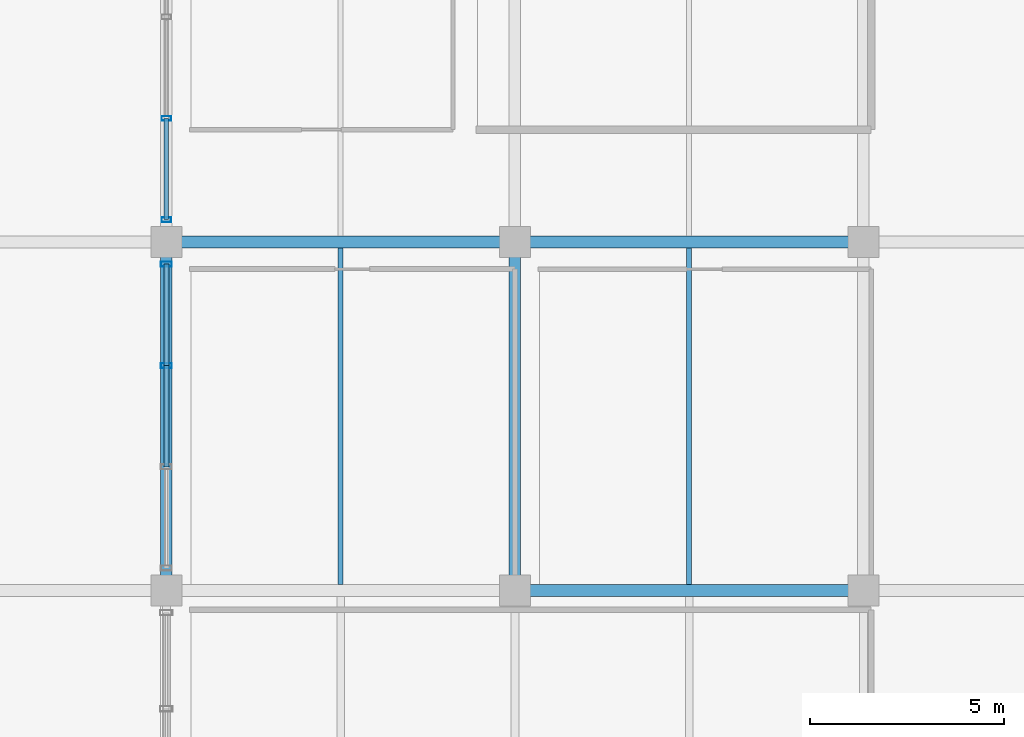
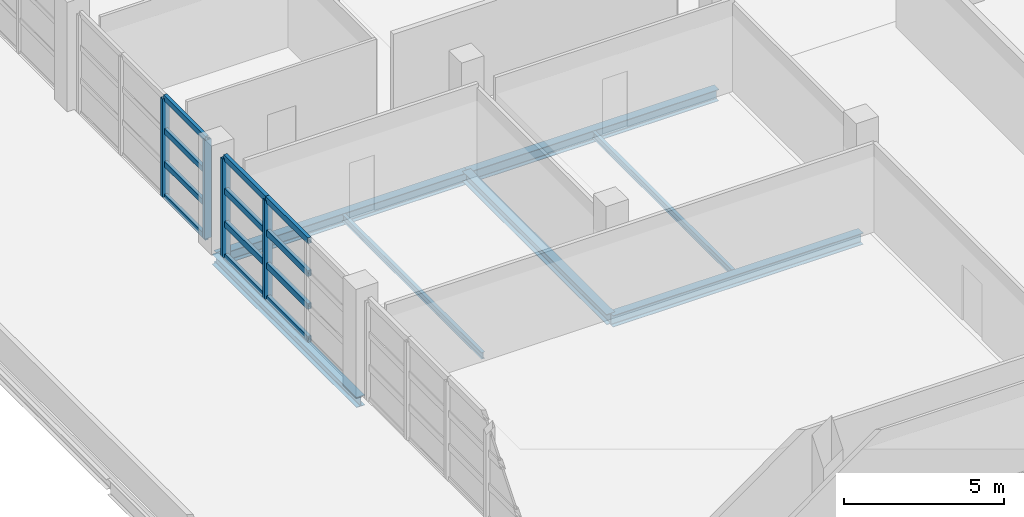
# One storey, part 79 of 136: 16 members, 7 beams, 2 elements without a shape of their own.
"""IFC4 building model written with IfcOpenShell, lengths in metres."""

from ifc_helpers import new_model, si_unit, direction, frame, origin, origin_2d, place, context, subcontext, project, spatial, hollow_rectangle, i_section, extrude, material, material_profile, profile_set, type_object, element, aggregate, save


model = new_model("IFC4")

# Units and contexts
model_context = context("Model", 3, precision=1e-05, world=origin(), true_north=direction((0.0, 1.0)))
body_context = subcontext(model_context, "Body", "Model", "MODEL_VIEW")
ifc_project = project(units=[si_unit("LENGTHUNIT", "METRE"), si_unit("AREAUNIT", "SQUARE_METRE"), si_unit("VOLUMEUNIT", "CUBIC_METRE"), si_unit("PLANEANGLEUNIT", "RADIAN"), si_unit("MASSUNIT", "GRAM", prefix="KILO")], contexts=[model_context])

# Site, building, storey
site_placement = place(None, origin())
site = spatial("IfcSite", under=ifc_project, at=site_placement, CompositionType="ELEMENT")
building_placement = place(site_placement, origin())
building = spatial("IfcBuilding", under=site, at=building_placement, Name="Chuanluo Vaults Station", CompositionType="ELEMENT")
storey_placement = place(building_placement, frame((0.0, 0.0, 6.60009765625)))
storey = spatial("IfcBuildingStorey", under=building, at=storey_placement, Name="L01", CompositionType="ELEMENT", Elevation=6.60009765625)

# Beams
ifc_material_1 = material(Name="Steel Q355C", Category="steel")
ifc_material_profile_1 = material_profile(ifc_material_1, i_section(OverallWidth=0.300048828125, OverallDepth=0.389892578125, WebThickness=0.010009765625, FlangeThickness=0.01611328125, FilletRadius=0.02001953125, at=origin_2d()))
ifc_profile_set_1 = profile_set([ifc_material_profile_1], Name="Steel Q355C")
beam_type_1 = type_object("IfcBeamType", Name="BM-GRD-400", PredefinedType="BEAM", material=ifc_profile_set_1)
for number, where, z_axis, x_axis, name in (
    (1, (145.0, 67.5, -0.43505859375), (0.0, 1.0, 0.0), (-1.0, 0.0, 0.0), "Floor girder BM:GY:L01:0471"),
    (2, (154.0, 67.5, -0.43505859375), (0.0, 1.0, 0.0), (-1.0, 0.0, 0.0), "Floor girder BM:GY:L01:0483"),
):
    element("IfcBeam", number, at=place(storey_placement, frame(where, z_axis=z_axis, x_axis=x_axis)), inside=storey, type_object=beam_type_1, Name=name, PredefinedType="BEAM", context=body_context, shape_type="SweptSolid", body=[
        extrude(i_section(OverallWidth=0.300048828125, OverallDepth=0.389892578125, WebThickness=0.010009765625, FlangeThickness=0.01611328125, FilletRadius=0.02001953125, at=origin_2d()), origin(), (0.0, 0.0, 1.0), 9.0),
    ])
ifc_material_2 = material(Name="Steel Q355C", Category="steel")
ifc_material_profile_2 = material_profile(ifc_material_2, i_section(OverallWidth=0.300048828125, OverallDepth=0.43994140625, WebThickness=0.010986328125, FlangeThickness=0.01806640625, FilletRadius=0.02001953125, at=origin_2d()))
ifc_profile_set_2 = profile_set([ifc_material_profile_2], Name="Steel Q355C")
beam_type_2 = type_object("IfcBeamType", Name="BM-GRD-450", PredefinedType="USERDEFINED", material=ifc_profile_set_2)
for number, where, z_axis, x_axis, name in (
    (3, (154.0, 67.5, -0.460205078125), (1.0, 0.0, 0.0), (0.0, 1.0, 0.0), "Floor girder BM:GX:L01:0341"),
    (4, (145.0, 76.5, -0.460205078125), (1.0, 0.0, 0.0), (0.0, 1.0, 0.0), "Floor girder BM:GX:L01:0346"),
    (5, (154.0, 76.5, -0.460205078125), (1.0, 0.0, 0.0), (0.0, 1.0, 0.0), "Floor girder BM:GX:L01:0347"),
):
    element("IfcBeam", number, at=place(storey_placement, frame(where, z_axis=z_axis, x_axis=x_axis)), inside=storey, type_object=beam_type_2, Name=name, ObjectType="GIRDER", PredefinedType="USERDEFINED", context=body_context, shape_type="SweptSolid", body=[
        extrude(i_section(OverallWidth=0.300048828125, OverallDepth=0.43994140625, WebThickness=0.010986328125, FlangeThickness=0.01806640625, FilletRadius=0.02001953125, at=origin_2d()), origin(), (0.0, 0.0, 1.0), 9.0),
    ])
ifc_material_3 = material(Name="Steel Q355C", Category="steel")
ifc_material_profile_3 = material_profile(ifc_material_3, i_section(OverallWidth=0.125, OverallDepth=0.25, WebThickness=0.006103515625, FlangeThickness=0.009033203125, FilletRadius=0.011962890625, at=origin_2d()))
ifc_profile_set_3 = profile_set([ifc_material_profile_3], Name="Steel Q355C")
beam_type_3 = type_object("IfcBeamType", Name="BM-SEC-250", PredefinedType="JOIST", material=ifc_profile_set_3)
for number, where, z_axis, x_axis, name in (
    (6, (149.5, 67.655029296875, -0.364990234375), (0.0, 1.0, 0.0), (-1.0, 0.0, 0.0), "Composite secondary joist 0162"),
    (7, (158.5, 67.655029296875, -0.364990234375), (0.0, 1.0, 0.0), (-1.0, 0.0, 0.0), "Composite secondary joist 0171"),
):
    element("IfcBeam", number, at=place(storey_placement, frame(where, z_axis=z_axis, x_axis=x_axis)), inside=storey, type_object=beam_type_3, Name=name, PredefinedType="JOIST", context=body_context, shape_type="SweptSolid", body=[
        extrude(i_section(OverallWidth=0.125, OverallDepth=0.25, WebThickness=0.006103515625, FlangeThickness=0.009033203125, FilletRadius=0.011962890625, at=origin_2d()), origin(), (0.0, 0.0, 1.0), 8.68994140625),
    ])

# Curtain wall, members
ifc_material_4 = material(Name="Anodised aluminium 6063-T6", Category="aluminium")
curtain_wall_type_1 = type_object("IfcCurtainWallType", Name="CW-SYS-11", PredefinedType="NOTDEFINED", material=ifc_material_4)
curtain_wall_1_placement = place(storey_placement, origin())
curtain_wall_1 = element("IfcCurtainWall", 8, at=curtain_wall_1_placement, inside=storey, type_object=curtain_wall_type_1, Name="Operations L01 facade CW", PredefinedType="NOTDEFINED")
ifc_material_5 = material(Name="Anodised aluminium 6063-T6", Category="aluminium")
ifc_material_profile_4 = material_profile(ifc_material_5, hollow_rectangle(XDim=0.1201171875, YDim=0.25, WallThickness=0.006103515625, at=origin_2d()))
ifc_profile_set_4 = profile_set([ifc_material_profile_4], Name="Anodised aluminium 6063-T6")
member_type_1 = type_object("IfcMemberType", Name="CWM-160", PredefinedType="MULLION", material=ifc_profile_set_4)
member_1_placement = place(storey_placement, frame((145.0, 77.074951171875, 0.0), z_axis=(0.0, 0.0, 1.0), x_axis=(0.0, 1.0, 0.0)))
member_1 = element("IfcMember", 9, at=member_1_placement, type_object=member_type_1, Name="Operations L01 facade CW mullion 1", PredefinedType="MULLION", context=body_context, shape_type="SweptSolid", body=[
    extrude(hollow_rectangle(XDim=0.1201171875, YDim=0.25, WallThickness=0.006103515625, at=origin_2d()), origin(), (0.0, 0.0, 1.0), 3.75),
])
member_2_placement = place(storey_placement, frame((145.0, 79.691650390625, 0.0), z_axis=(0.0, 0.0, 1.0), x_axis=(0.0, 1.0, 0.0)))
member_2 = element("IfcMember", 10, at=member_2_placement, type_object=member_type_1, Name="Operations L01 facade CW mullion 2", PredefinedType="MULLION", context=body_context, shape_type="SweptSolid", body=[
    extrude(hollow_rectangle(XDim=0.1201171875, YDim=0.25, WallThickness=0.006103515625, at=origin_2d()), origin(), (0.0, 0.0, 1.0), 3.75),
])

ifc_material_6 = material(Name="Anodised aluminium 6063-T6", Category="aluminium")
curtain_wall_type_2 = type_object("IfcCurtainWallType", Name="CW-SYS-10", PredefinedType="NOTDEFINED", material=ifc_material_6)
curtain_wall_2_placement = place(storey_placement, origin())
curtain_wall_2 = element("IfcCurtainWall", 11, at=curtain_wall_2_placement, inside=storey, type_object=curtain_wall_type_2, Name="Operations L01 facade CW", PredefinedType="NOTDEFINED")
ifc_material_7 = material(Name="Anodised aluminium 6063-T6", Category="aluminium")
ifc_material_profile_5 = material_profile(ifc_material_7, hollow_rectangle(XDim=0.1298828125, YDim=0.280029296875, WallThickness=0.007080078125, at=origin_2d()))
ifc_profile_set_5 = profile_set([ifc_material_profile_5], Name="Anodised aluminium 6063-T6")
member_type_2 = type_object("IfcMemberType", Name="CWM-180", PredefinedType="MULLION", material=ifc_profile_set_5)
member_3_placement = place(storey_placement, frame((145.0, 73.308349609375, 0.0), z_axis=(0.0, 0.0, 1.0), x_axis=(0.0, 1.0, 0.0)))
member_3 = element("IfcMember", 12, at=member_3_placement, type_object=member_type_2, Name="Operations L01 facade CW mullion 3", PredefinedType="MULLION", context=body_context, shape_type="SweptSolid", body=[
    extrude(hollow_rectangle(XDim=0.1298828125, YDim=0.280029296875, WallThickness=0.007080078125, at=origin_2d()), origin(), (0.0, 0.0, 1.0), 3.75),
])
member_4_placement = place(storey_placement, frame((145.0, 75.925048828125, 0.0), z_axis=(0.0, 0.0, 1.0), x_axis=(0.0, 1.0, 0.0)))
member_4 = element("IfcMember", 13, at=member_4_placement, type_object=member_type_2, Name="Operations L01 facade CW mullion 4", PredefinedType="MULLION", context=body_context, shape_type="SweptSolid", body=[
    extrude(hollow_rectangle(XDim=0.1298828125, YDim=0.280029296875, WallThickness=0.007080078125, at=origin_2d()), origin(), (0.0, 0.0, 1.0), 3.75),
])

# Member
ifc_material_8 = material(Name="Anodised aluminium 6063-T6", Category="aluminium")
ifc_material_profile_6 = material_profile(ifc_material_8, hollow_rectangle(XDim=0.1201171875, YDim=0.205078125, WallThickness=0.006103515625, at=origin_2d()))
ifc_profile_set_6 = profile_set([ifc_material_profile_6], Name="Anodised aluminium 6063-T6")
member_type_3 = type_object("IfcMemberType", Name="CWT-130", PredefinedType="USERDEFINED", material=ifc_profile_set_6)
member_5_placement = place(storey_placement, frame((145.0, 77.074951171875, 0.0), z_axis=(0.0, 1.0, 0.0), x_axis=(-1.0, 0.0, 0.0)))
member_5 = element("IfcMember", 14, at=member_5_placement, type_object=member_type_3, Name="Operations L01 facade CW transom 1.1", ObjectType="TRANSOM", PredefinedType="USERDEFINED", context=body_context, shape_type="SweptSolid", body=[
    extrude(hollow_rectangle(XDim=0.1201171875, YDim=0.205078125, WallThickness=0.006103515625, at=origin_2d()), origin(), (0.0, 0.0, 1.0), 2.61669921875),
])

member_6_placement = place(storey_placement, frame((145.0, 77.074951171875, 1.25), z_axis=(0.0, 1.0, 0.0), x_axis=(-1.0, 0.0, 0.0)))
member_6 = element("IfcMember", 15, at=member_6_placement, type_object=member_type_3, Name="Operations L01 facade CW transom 1.2", ObjectType="TRANSOM", PredefinedType="USERDEFINED", context=body_context, shape_type="SweptSolid", body=[
    extrude(hollow_rectangle(XDim=0.1201171875, YDim=0.205078125, WallThickness=0.006103515625, at=origin_2d()), origin(), (0.0, 0.0, 1.0), 2.61669921875),
])

member_7_placement = place(storey_placement, frame((145.0, 77.074951171875, 2.5), z_axis=(0.0, 1.0, 0.0), x_axis=(-1.0, 0.0, 0.0)))
member_7 = element("IfcMember", 16, at=member_7_placement, type_object=member_type_3, Name="Operations L01 facade CW transom 1.3", ObjectType="TRANSOM", PredefinedType="USERDEFINED", context=body_context, shape_type="SweptSolid", body=[
    extrude(hollow_rectangle(XDim=0.1201171875, YDim=0.205078125, WallThickness=0.006103515625, at=origin_2d()), origin(), (0.0, 0.0, 1.0), 2.61669921875),
])

member_8_placement = place(storey_placement, frame((145.0, 77.074951171875, 3.75), z_axis=(0.0, 1.0, 0.0), x_axis=(-1.0, 0.0, 0.0)))
member_8 = element("IfcMember", 17, at=member_8_placement, type_object=member_type_3, Name="Operations L01 facade CW transom 1.4", ObjectType="TRANSOM", PredefinedType="USERDEFINED", context=body_context, shape_type="SweptSolid", body=[
    extrude(hollow_rectangle(XDim=0.1201171875, YDim=0.205078125, WallThickness=0.006103515625, at=origin_2d()), origin(), (0.0, 0.0, 1.0), 2.61669921875),
])

aggregate(curtain_wall_1, [member_1, member_2, member_5, member_6, member_7, member_8])

ifc_material_9 = material(Name="Anodised aluminium 6063-T6", Category="aluminium")
ifc_material_profile_7 = material_profile(ifc_material_9, hollow_rectangle(XDim=0.1298828125, YDim=0.22998046875, WallThickness=0.006103515625, at=origin_2d()))
ifc_profile_set_7 = profile_set([ifc_material_profile_7], Name="Anodised aluminium 6063-T6")
member_type_4 = type_object("IfcMemberType", Name="CWT-150", PredefinedType="USERDEFINED", material=ifc_profile_set_7)
member_9_placement = place(storey_placement, frame((145.0, 70.691650390625, 0.0), z_axis=(0.0, 1.0, 0.0), x_axis=(-1.0, 0.0, 0.0)))
member_9 = element("IfcMember", 18, at=member_9_placement, type_object=member_type_4, Name="Operations L01 facade CW transom 2.1", ObjectType="TRANSOM", PredefinedType="USERDEFINED", context=body_context, shape_type="SweptSolid", body=[
    extrude(hollow_rectangle(XDim=0.1298828125, YDim=0.22998046875, WallThickness=0.006103515625, at=origin_2d()), origin(), (0.0, 0.0, 1.0), 2.61669921875),
])

member_10_placement = place(storey_placement, frame((145.0, 70.691650390625, 1.25), z_axis=(0.0, 1.0, 0.0), x_axis=(-1.0, 0.0, 0.0)))
member_10 = element("IfcMember", 19, at=member_10_placement, type_object=member_type_4, Name="Operations L01 facade CW transom 2.2", ObjectType="TRANSOM", PredefinedType="USERDEFINED", context=body_context, shape_type="SweptSolid", body=[
    extrude(hollow_rectangle(XDim=0.1298828125, YDim=0.22998046875, WallThickness=0.006103515625, at=origin_2d()), origin(), (0.0, 0.0, 1.0), 2.61669921875),
])

member_11_placement = place(storey_placement, frame((145.0, 70.691650390625, 2.5), z_axis=(0.0, 1.0, 0.0), x_axis=(-1.0, 0.0, 0.0)))
member_11 = element("IfcMember", 20, at=member_11_placement, type_object=member_type_4, Name="Operations L01 facade CW transom 2.3", ObjectType="TRANSOM", PredefinedType="USERDEFINED", context=body_context, shape_type="SweptSolid", body=[
    extrude(hollow_rectangle(XDim=0.1298828125, YDim=0.22998046875, WallThickness=0.006103515625, at=origin_2d()), origin(), (0.0, 0.0, 1.0), 2.61669921875),
])

member_12_placement = place(storey_placement, frame((145.0, 70.691650390625, 3.75), z_axis=(0.0, 1.0, 0.0), x_axis=(-1.0, 0.0, 0.0)))
member_12 = element("IfcMember", 21, at=member_12_placement, type_object=member_type_4, Name="Operations L01 facade CW transom 2.4", ObjectType="TRANSOM", PredefinedType="USERDEFINED", context=body_context, shape_type="SweptSolid", body=[
    extrude(hollow_rectangle(XDim=0.1298828125, YDim=0.22998046875, WallThickness=0.006103515625, at=origin_2d()), origin(), (0.0, 0.0, 1.0), 2.61669921875),
])

member_13_placement = place(storey_placement, frame((145.0, 73.308349609375, 0.0), z_axis=(0.0, 1.0, 0.0), x_axis=(-1.0, 0.0, 0.0)))
member_13 = element("IfcMember", 22, at=member_13_placement, type_object=member_type_4, Name="Operations L01 facade CW transom 3.1", ObjectType="TRANSOM", PredefinedType="USERDEFINED", context=body_context, shape_type="SweptSolid", body=[
    extrude(hollow_rectangle(XDim=0.1298828125, YDim=0.22998046875, WallThickness=0.006103515625, at=origin_2d()), origin(), (0.0, 0.0, 1.0), 2.61669921875),
])

member_14_placement = place(storey_placement, frame((145.0, 73.308349609375, 1.25), z_axis=(0.0, 1.0, 0.0), x_axis=(-1.0, 0.0, 0.0)))
member_14 = element("IfcMember", 23, at=member_14_placement, type_object=member_type_4, Name="Operations L01 facade CW transom 3.2", ObjectType="TRANSOM", PredefinedType="USERDEFINED", context=body_context, shape_type="SweptSolid", body=[
    extrude(hollow_rectangle(XDim=0.1298828125, YDim=0.22998046875, WallThickness=0.006103515625, at=origin_2d()), origin(), (0.0, 0.0, 1.0), 2.61669921875),
])

member_15_placement = place(storey_placement, frame((145.0, 73.308349609375, 2.5), z_axis=(0.0, 1.0, 0.0), x_axis=(-1.0, 0.0, 0.0)))
member_15 = element("IfcMember", 24, at=member_15_placement, type_object=member_type_4, Name="Operations L01 facade CW transom 3.3", ObjectType="TRANSOM", PredefinedType="USERDEFINED", context=body_context, shape_type="SweptSolid", body=[
    extrude(hollow_rectangle(XDim=0.1298828125, YDim=0.22998046875, WallThickness=0.006103515625, at=origin_2d()), origin(), (0.0, 0.0, 1.0), 2.61669921875),
])

member_16_placement = place(storey_placement, frame((145.0, 73.308349609375, 3.75), z_axis=(0.0, 1.0, 0.0), x_axis=(-1.0, 0.0, 0.0)))
member_16 = element("IfcMember", 25, at=member_16_placement, type_object=member_type_4, Name="Operations L01 facade CW transom 3.4", ObjectType="TRANSOM", PredefinedType="USERDEFINED", context=body_context, shape_type="SweptSolid", body=[
    extrude(hollow_rectangle(XDim=0.1298828125, YDim=0.22998046875, WallThickness=0.006103515625, at=origin_2d()), origin(), (0.0, 0.0, 1.0), 2.61669921875),
])

aggregate(curtain_wall_2, [member_3, member_4, member_9, member_10, member_11, member_12, member_13, member_14, member_15, member_16])

save(model, "model.ifc")
